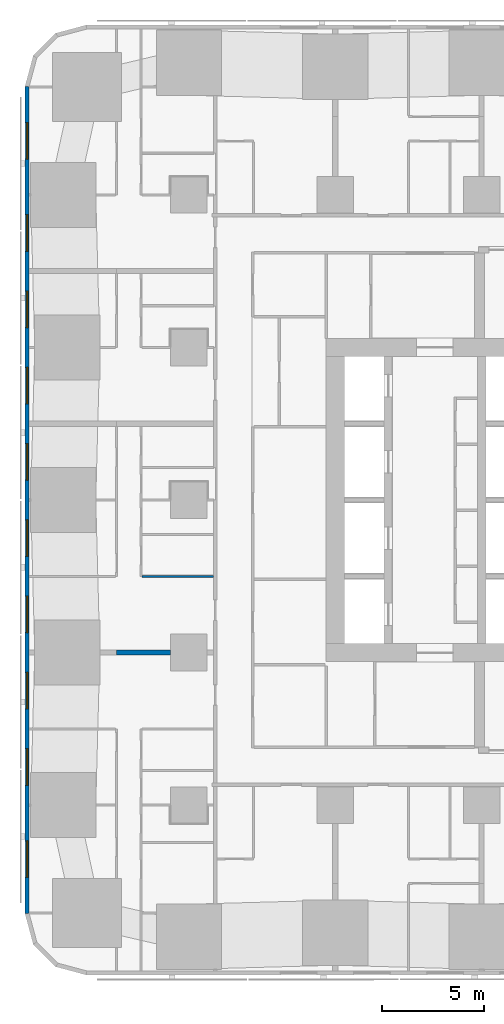
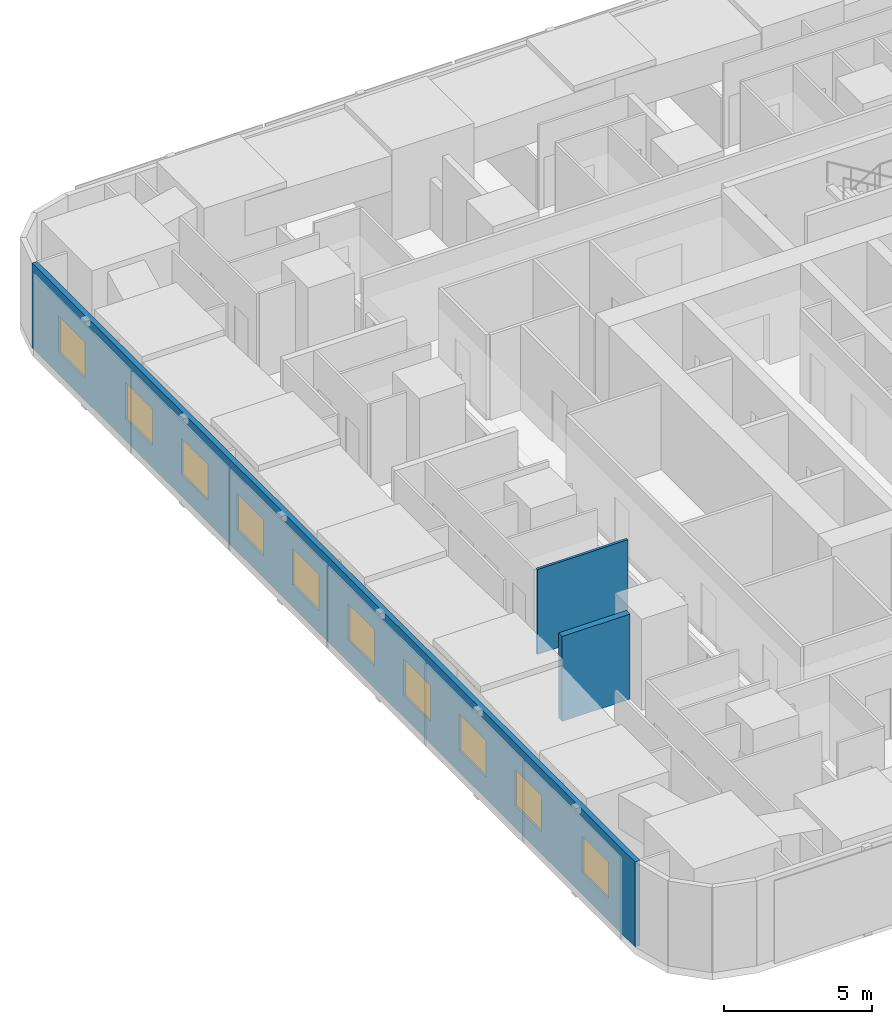
# One storey, part 5 of 18: 10 windows, 3 walls, 10 openings.
"""IFC4 building model written with IfcOpenShell, lengths in metres."""

from ifc_helpers import new_model, si_unit, direction, frame, frame_2d, origin, place, context, subcontext, project, spatial, rectangle, extrude, material, layer, layer_set, type_object, element, fill, save


model = new_model("IFC4")

# Units and contexts
model_context = context("Model", 3, precision=1e-05, world=origin(), true_north=direction((0.0, 1.0)))
body_context = subcontext(model_context, "Body", "Model", "MODEL_VIEW")
ifc_project = project(units=[si_unit("LENGTHUNIT", "METRE"), si_unit("AREAUNIT", "SQUARE_METRE"), si_unit("VOLUMEUNIT", "CUBIC_METRE"), si_unit("PLANEANGLEUNIT", "RADIAN"), si_unit("MASSUNIT", "GRAM", prefix="KILO")], contexts=[model_context])

# Site, building, storey
site_placement = place(None, origin())
site = spatial("IfcSite", under=ifc_project, at=site_placement, CompositionType="ELEMENT")
building_placement = place(site_placement, origin())
building = spatial("IfcBuilding", under=site, at=building_placement, Name="Sheger Commons Tower", CompositionType="ELEMENT")
storey_placement = place(building_placement, frame((0.0, 0.0, 20.0)))
storey = spatial("IfcBuildingStorey", under=building, at=storey_placement, Name="L04", CompositionType="ELEMENT", Elevation=20.0)

# Wall
ifc_material_1 = material(Name="Dense concrete block masonry, plastered both sides (separating wall between flats)", Category="masonry")
ifc_layer_1 = layer(ifc_material_1, 0.25)
ifc_layer_set_1 = layer_set([ifc_layer_1], Name="DEMISING WALL 250")
wall_type_1 = type_object("IfcWallType", Name="DEMISING WALL 250", PredefinedType="SOLIDWALL", material=ifc_layer_set_1)
wall_1_placement = place(storey_placement, frame((3.64990234375, 15.0, 0.0), z_axis=(0.0, 0.0, 1.0), x_axis=(1.0, 0.0, 0.0)))
element("IfcWall", 1, at=wall_1_placement, inside=storey, type_object=wall_type_1, Name="Demising wall L04", PredefinedType="SOLIDWALL", context=body_context, shape_type="SweptSolid", body=[
    extrude(rectangle(XDim=2.649169921875, YDim=0.25, at=frame_2d((1.32470703125, 0.0))), origin(), (0.0, 0.0, 1.0), 3.5),
])

# Wall, openings, windows
ifc_material_2 = material(Name="Rendered concrete block masonry, dark grey", Category="masonry")
ifc_layer_2 = layer(ifc_material_2, 0.199951171875)
ifc_layer_set_2 = layer_set([ifc_layer_2], Name="FACADE WALL 200")
wall_type_2 = type_object("IfcWallType", Name="FACADE WALL 200", PredefinedType="SOLIDWALL", material=ifc_layer_set_2)
wall_2_placement = place(storey_placement, frame((-0.75, 42.8369140625, 0.0), z_axis=(0.0, 0.0, 1.0), x_axis=(0.0, -1.0, 0.0)))
wall_2 = element("IfcWall", 2, at=wall_2_placement, inside=storey, type_object=wall_type_2, Name="Facade wall L04", PredefinedType="SOLIDWALL", context=body_context, shape_type="SweptSolid", body=[
    extrude(rectangle(XDim=40.673828125, YDim=0.199951171875, at=frame_2d((20.3369140625, 0.0))), origin(), (0.0, 0.0, 1.0), 3.5),
])
opening_1_placement = place(wall_2_placement, frame((1.780029296875, 0.0, 0.89990234375)))
opening_1 = element("IfcOpeningElement", 3, at=opening_1_placement, cuts=wall_2, Name="Opening W2", PredefinedType="OPENING", context=body_context, shape_type="SweptSolid", body=[
    extrude(rectangle(XDim=1.800048828125, YDim=1.5, at=frame_2d((0.89990234375, 0.75))), frame((0.0, 0.10986328125, 0.0), z_axis=(0.0, -1.0, 0.0), x_axis=(1.0, 0.0, 0.0)), (0.0, 0.0, 1.0), 0.219970703125),
])
opening_2_placement = place(wall_2_placement, frame((6.31201171875, 0.0, 0.89990234375)))
opening_2 = element("IfcOpeningElement", 4, at=opening_2_placement, cuts=wall_2, Name="Opening W2", PredefinedType="OPENING", context=body_context, shape_type="SweptSolid", body=[
    extrude(rectangle(XDim=1.800048828125, YDim=1.5, at=frame_2d((0.89990234375, 0.75))), frame((0.0, 0.10986328125, 0.0), z_axis=(0.0, -1.0, 0.0), x_axis=(1.0, 0.0, 0.0)), (0.0, 0.0, 1.0), 0.219970703125),
])
opening_3_placement = place(wall_2_placement, frame((10.06201171875, 0.0, 0.89990234375)))
opening_3 = element("IfcOpeningElement", 5, at=opening_3_placement, cuts=wall_2, Name="Opening W2", PredefinedType="OPENING", context=body_context, shape_type="SweptSolid", body=[
    extrude(rectangle(XDim=1.800048828125, YDim=1.5, at=frame_2d((0.89990234375, 0.75))), frame((0.0, 0.10986328125, 0.0), z_axis=(0.0, -1.0, 0.0), x_axis=(1.0, 0.0, 0.0)), (0.0, 0.0, 1.0), 0.219970703125),
])
opening_4_placement = place(wall_2_placement, frame((13.81201171875, 0.0, 0.89990234375)))
opening_4 = element("IfcOpeningElement", 6, at=opening_4_placement, cuts=wall_2, Name="Opening W2", PredefinedType="OPENING", context=body_context, shape_type="SweptSolid", body=[
    extrude(rectangle(XDim=1.800048828125, YDim=1.5, at=frame_2d((0.89990234375, 0.75))), frame((0.0, 0.10986328125, 0.0), z_axis=(0.0, -1.0, 0.0), x_axis=(1.0, 0.0, 0.0)), (0.0, 0.0, 1.0), 0.219970703125),
])
opening_5_placement = place(wall_2_placement, frame((17.56201171875, 0.0, 0.89990234375)))
opening_5 = element("IfcOpeningElement", 7, at=opening_5_placement, cuts=wall_2, Name="Opening W2", PredefinedType="OPENING", context=body_context, shape_type="SweptSolid", body=[
    extrude(rectangle(XDim=1.800048828125, YDim=1.5, at=frame_2d((0.89990234375, 0.75))), frame((0.0, 0.10986328125, 0.0), z_axis=(0.0, -1.0, 0.0), x_axis=(1.0, 0.0, 0.0)), (0.0, 0.0, 1.0), 0.219970703125),
])
opening_6_placement = place(wall_2_placement, frame((21.31201171875, 0.0, 0.89990234375)))
opening_6 = element("IfcOpeningElement", 8, at=opening_6_placement, cuts=wall_2, Name="Opening W2", PredefinedType="OPENING", context=body_context, shape_type="SweptSolid", body=[
    extrude(rectangle(XDim=1.800048828125, YDim=1.5, at=frame_2d((0.89990234375, 0.75))), frame((0.0, 0.10986328125, 0.0), z_axis=(0.0, -1.0, 0.0), x_axis=(1.0, 0.0, 0.0)), (0.0, 0.0, 1.0), 0.219970703125),
])
opening_7_placement = place(wall_2_placement, frame((25.06201171875, 0.0, 0.89990234375)))
opening_7 = element("IfcOpeningElement", 9, at=opening_7_placement, cuts=wall_2, Name="Opening W2", PredefinedType="OPENING", context=body_context, shape_type="SweptSolid", body=[
    extrude(rectangle(XDim=1.800048828125, YDim=1.5, at=frame_2d((0.89990234375, 0.75))), frame((0.0, 0.10986328125, 0.0), z_axis=(0.0, -1.0, 0.0), x_axis=(1.0, 0.0, 0.0)), (0.0, 0.0, 1.0), 0.219970703125),
])
opening_8_placement = place(wall_2_placement, frame((28.81201171875, 0.0, 0.89990234375)))
opening_8 = element("IfcOpeningElement", 10, at=opening_8_placement, cuts=wall_2, Name="Opening W2", PredefinedType="OPENING", context=body_context, shape_type="SweptSolid", body=[
    extrude(rectangle(XDim=1.800048828125, YDim=1.5, at=frame_2d((0.89990234375, 0.75))), frame((0.0, 0.10986328125, 0.0), z_axis=(0.0, -1.0, 0.0), x_axis=(1.0, 0.0, 0.0)), (0.0, 0.0, 1.0), 0.219970703125),
])
opening_9_placement = place(wall_2_placement, frame((32.56201171875, 0.0, 0.89990234375)))
opening_9 = element("IfcOpeningElement", 11, at=opening_9_placement, cuts=wall_2, Name="Opening W2", PredefinedType="OPENING", context=body_context, shape_type="SweptSolid", body=[
    extrude(rectangle(XDim=1.800048828125, YDim=1.5, at=frame_2d((0.89990234375, 0.75))), frame((0.0, 0.10986328125, 0.0), z_axis=(0.0, -1.0, 0.0), x_axis=(1.0, 0.0, 0.0)), (0.0, 0.0, 1.0), 0.219970703125),
])
opening_10_placement = place(wall_2_placement, frame((37.093994140625, 0.0, 0.89990234375)))
opening_10 = element("IfcOpeningElement", 12, at=opening_10_placement, cuts=wall_2, Name="Opening W2", PredefinedType="OPENING", context=body_context, shape_type="SweptSolid", body=[
    extrude(rectangle(XDim=1.800048828125, YDim=1.5, at=frame_2d((0.89990234375, 0.75))), frame((0.0, 0.10986328125, 0.0), z_axis=(0.0, -1.0, 0.0), x_axis=(1.0, 0.0, 0.0)), (0.0, 0.0, 1.0), 0.219970703125),
])
ifc_material_3 = material(Name="Black aluminium frame, dark tinted double glazing", Category="aluminium")
window_type = type_object("IfcWindowType", Name="WINDOW W2 1800x1500", PartitioningType="SINGLE_PANEL", PredefinedType="WINDOW", material=ifc_material_3)
window_1_placement = place(opening_1_placement, origin())
window_1 = element("IfcWindow", 13, at=window_1_placement, inside=storey, type_object=window_type, Name="Window W2 1800X1500", OverallHeight=1.5, OverallWidth=1.800048828125, PartitioningType="SINGLE_PANEL", PredefinedType="WINDOW", context=body_context, shape_type="SweptSolid", body=[
    extrude(rectangle(XDim=1.800048828125, YDim=1.5, at=frame_2d((0.89990234375, 0.75))), frame((0.0, 0.030029296875, 0.0), z_axis=(0.0, -1.0, 0.0), x_axis=(1.0, 0.0, 0.0)), (0.0, 0.0, 1.0), 0.06005859375),
])
fill(opening_1, window_1)
window_2_placement = place(opening_2_placement, origin())
window_2 = element("IfcWindow", 14, at=window_2_placement, inside=storey, type_object=window_type, Name="Window W2 1800X1500", OverallHeight=1.5, OverallWidth=1.800048828125, PartitioningType="SINGLE_PANEL", PredefinedType="WINDOW", context=body_context, shape_type="SweptSolid", body=[
    extrude(rectangle(XDim=1.800048828125, YDim=1.5, at=frame_2d((0.89990234375, 0.75))), frame((0.0, 0.030029296875, 0.0), z_axis=(0.0, -1.0, 0.0), x_axis=(1.0, 0.0, 0.0)), (0.0, 0.0, 1.0), 0.06005859375),
])
fill(opening_2, window_2)
window_3_placement = place(opening_3_placement, origin())
window_3 = element("IfcWindow", 15, at=window_3_placement, inside=storey, type_object=window_type, Name="Window W2 1800X1500", OverallHeight=1.5, OverallWidth=1.800048828125, PartitioningType="SINGLE_PANEL", PredefinedType="WINDOW", context=body_context, shape_type="SweptSolid", body=[
    extrude(rectangle(XDim=1.800048828125, YDim=1.5, at=frame_2d((0.89990234375, 0.75))), frame((0.0, 0.030029296875, 0.0), z_axis=(0.0, -1.0, 0.0), x_axis=(1.0, 0.0, 0.0)), (0.0, 0.0, 1.0), 0.06005859375),
])
fill(opening_3, window_3)
window_4_placement = place(opening_4_placement, origin())
window_4 = element("IfcWindow", 16, at=window_4_placement, inside=storey, type_object=window_type, Name="Window W2 1800X1500", OverallHeight=1.5, OverallWidth=1.800048828125, PartitioningType="SINGLE_PANEL", PredefinedType="WINDOW", context=body_context, shape_type="SweptSolid", body=[
    extrude(rectangle(XDim=1.800048828125, YDim=1.5, at=frame_2d((0.89990234375, 0.75))), frame((0.0, 0.030029296875, 0.0), z_axis=(0.0, -1.0, 0.0), x_axis=(1.0, 0.0, 0.0)), (0.0, 0.0, 1.0), 0.06005859375),
])
fill(opening_4, window_4)
window_5_placement = place(opening_5_placement, origin())
window_5 = element("IfcWindow", 17, at=window_5_placement, inside=storey, type_object=window_type, Name="Window W2 1800X1500", OverallHeight=1.5, OverallWidth=1.800048828125, PartitioningType="SINGLE_PANEL", PredefinedType="WINDOW", context=body_context, shape_type="SweptSolid", body=[
    extrude(rectangle(XDim=1.800048828125, YDim=1.5, at=frame_2d((0.89990234375, 0.75))), frame((0.0, 0.030029296875, 0.0), z_axis=(0.0, -1.0, 0.0), x_axis=(1.0, 0.0, 0.0)), (0.0, 0.0, 1.0), 0.06005859375),
])
fill(opening_5, window_5)
window_6_placement = place(opening_6_placement, origin())
window_6 = element("IfcWindow", 18, at=window_6_placement, inside=storey, type_object=window_type, Name="Window W2 1800X1500", OverallHeight=1.5, OverallWidth=1.800048828125, PartitioningType="SINGLE_PANEL", PredefinedType="WINDOW", context=body_context, shape_type="SweptSolid", body=[
    extrude(rectangle(XDim=1.800048828125, YDim=1.5, at=frame_2d((0.89990234375, 0.75))), frame((0.0, 0.030029296875, 0.0), z_axis=(0.0, -1.0, 0.0), x_axis=(1.0, 0.0, 0.0)), (0.0, 0.0, 1.0), 0.06005859375),
])
fill(opening_6, window_6)
window_7_placement = place(opening_7_placement, origin())
window_7 = element("IfcWindow", 19, at=window_7_placement, inside=storey, type_object=window_type, Name="Window W2 1800X1500", OverallHeight=1.5, OverallWidth=1.800048828125, PartitioningType="SINGLE_PANEL", PredefinedType="WINDOW", context=body_context, shape_type="SweptSolid", body=[
    extrude(rectangle(XDim=1.800048828125, YDim=1.5, at=frame_2d((0.89990234375, 0.75))), frame((0.0, 0.030029296875, 0.0), z_axis=(0.0, -1.0, 0.0), x_axis=(1.0, 0.0, 0.0)), (0.0, 0.0, 1.0), 0.06005859375),
])
fill(opening_7, window_7)
window_8_placement = place(opening_8_placement, origin())
window_8 = element("IfcWindow", 20, at=window_8_placement, inside=storey, type_object=window_type, Name="Window W2 1800X1500", OverallHeight=1.5, OverallWidth=1.800048828125, PartitioningType="SINGLE_PANEL", PredefinedType="WINDOW", context=body_context, shape_type="SweptSolid", body=[
    extrude(rectangle(XDim=1.800048828125, YDim=1.5, at=frame_2d((0.89990234375, 0.75))), frame((0.0, 0.030029296875, 0.0), z_axis=(0.0, -1.0, 0.0), x_axis=(1.0, 0.0, 0.0)), (0.0, 0.0, 1.0), 0.06005859375),
])
fill(opening_8, window_8)
window_9_placement = place(opening_9_placement, origin())
window_9 = element("IfcWindow", 21, at=window_9_placement, inside=storey, type_object=window_type, Name="Window W2 1800X1500", OverallHeight=1.5, OverallWidth=1.800048828125, PartitioningType="SINGLE_PANEL", PredefinedType="WINDOW", context=body_context, shape_type="SweptSolid", body=[
    extrude(rectangle(XDim=1.800048828125, YDim=1.5, at=frame_2d((0.89990234375, 0.75))), frame((0.0, 0.030029296875, 0.0), z_axis=(0.0, -1.0, 0.0), x_axis=(1.0, 0.0, 0.0)), (0.0, 0.0, 1.0), 0.06005859375),
])
fill(opening_9, window_9)
window_10_placement = place(opening_10_placement, origin())
window_10 = element("IfcWindow", 22, at=window_10_placement, inside=storey, type_object=window_type, Name="Window W2 1800X1500", OverallHeight=1.5, OverallWidth=1.800048828125, PartitioningType="SINGLE_PANEL", PredefinedType="WINDOW", context=body_context, shape_type="SweptSolid", body=[
    extrude(rectangle(XDim=1.800048828125, YDim=1.5, at=frame_2d((0.89990234375, 0.75))), frame((0.0, 0.030029296875, 0.0), z_axis=(0.0, -1.0, 0.0), x_axis=(1.0, 0.0, 0.0)), (0.0, 0.0, 1.0), 0.06005859375),
])
fill(opening_10, window_10)

# Wall
ifc_material_4 = material(Name="Gypsum board on steel studs", Category="steel")
ifc_layer_3 = layer(ifc_material_4, 0.10009765625)
ifc_layer_set_3 = layer_set([ifc_layer_3], Name="PARTITION 100")
wall_type_3 = type_object("IfcWallType", Name="PARTITION 100", PredefinedType="PARTITIONING", material=ifc_layer_set_3)
wall_3_placement = place(storey_placement, frame((4.89990234375, 18.75, 0.0), z_axis=(0.0, 0.0, 1.0), x_axis=(1.0, 0.0, 0.0)))
element("IfcWall", 23, at=wall_3_placement, inside=storey, type_object=wall_type_3, Name="Partition L04", PredefinedType="PARTITIONING", context=body_context, shape_type="SweptSolid", body=[
    extrude(rectangle(XDim=3.525146484375, YDim=0.10009765625, at=frame_2d((1.7626953125, 0.0))), origin(), (0.0, 0.0, 1.0), 3.5),
])

save(model, "model.ifc")
